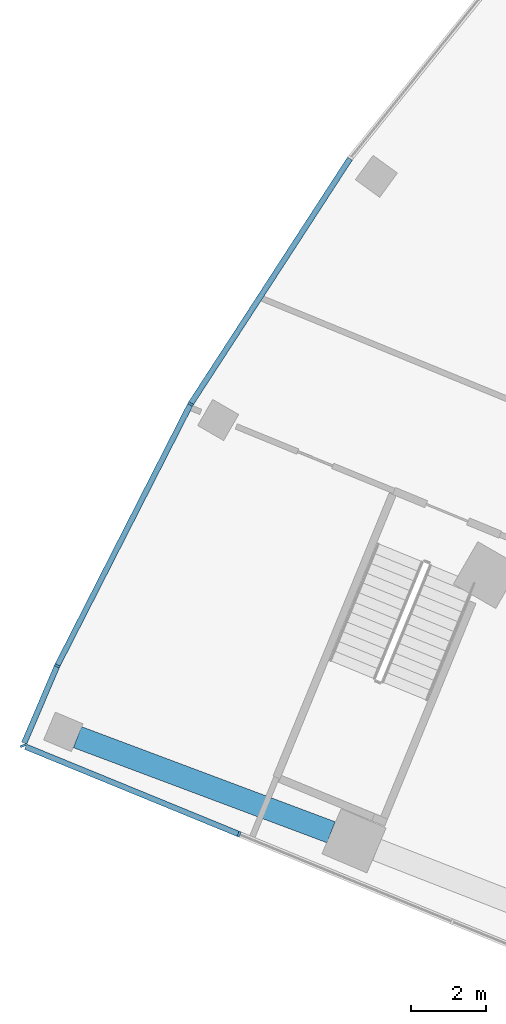
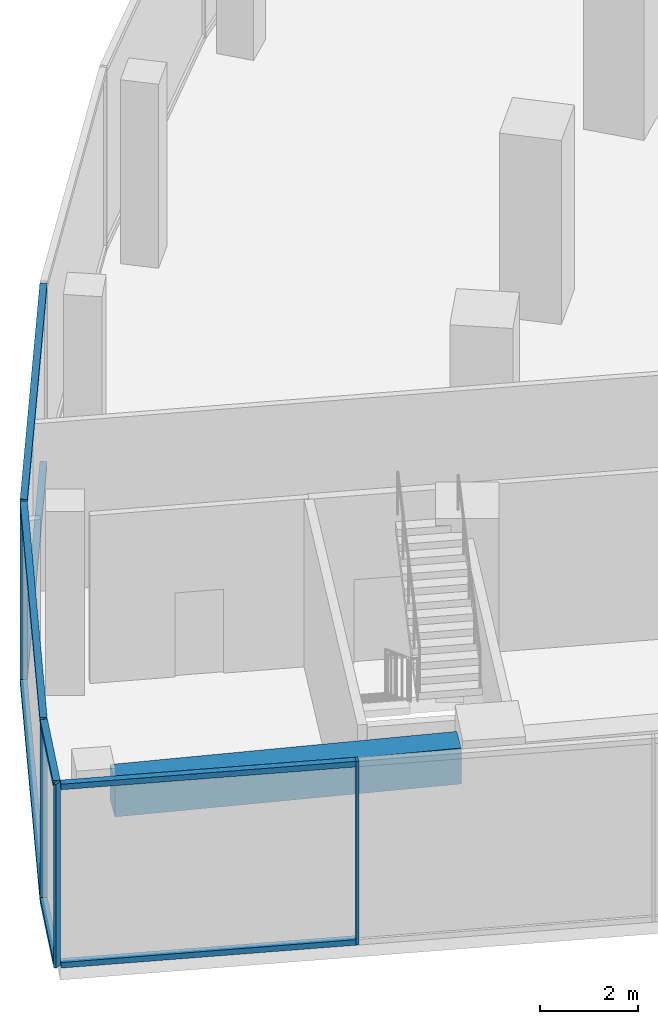
# One storey, part 3 of 39: 12 members, 1 beam, 2 elements without a shape of their own.
"""IFC4 building model written with IfcOpenShell, lengths in metres."""

from ifc_helpers import new_model, si_unit, direction, frame, origin, origin_2d, place, context, subcontext, project, spatial, rectangle, extrude, material, layer, layer_set, material_profile, profile_set, type_object, element, aggregate, save


model = new_model("IFC4")

# Units and contexts
model_context = context("Model", 3, precision=1e-05, world=origin(), true_north=direction((0.0, 1.0)))
body_context = subcontext(model_context, "Body", "Model", "MODEL_VIEW")
ifc_project = project(units=[si_unit("LENGTHUNIT", "METRE"), si_unit("AREAUNIT", "SQUARE_METRE"), si_unit("VOLUMEUNIT", "CUBIC_METRE"), si_unit("PLANEANGLEUNIT", "RADIAN"), si_unit("MASSUNIT", "GRAM", prefix="KILO")], contexts=[model_context])

# Site, building, storey
site_placement = place(None, origin())
site = spatial("IfcSite", under=ifc_project, at=site_placement, CompositionType="ELEMENT")
building_placement = place(site_placement, origin())
building = spatial("IfcBuilding", under=site, at=building_placement, Name="Stone Belt Terrace Tower", CompositionType="ELEMENT")
storey_placement = place(building_placement, frame((0.0, 0.0, 16.199951171875)))
storey = spatial("IfcBuildingStorey", under=building, at=storey_placement, Name="L03", CompositionType="ELEMENT", Elevation=16.199951171875)

# Curtain wall, members
ifc_material_1 = material(Name="Aluminium 6063-T6 anodised frame", Category="aluminium")
ifc_layer = layer(ifc_material_1, 0.14990234375)
ifc_layer_set = layer_set([ifc_layer], Name="CW-D podium shopfront")
curtain_wall_type = type_object("IfcCurtainWallType", Name="CW-D podium shopfront", PredefinedType="NOTDEFINED", material=ifc_layer_set)
curtain_wall_1_placement = place(storey_placement, origin())
curtain_wall_1 = element("IfcCurtainWall", 1, at=curtain_wall_1_placement, inside=storey, type_object=curtain_wall_type, Name="CW-D convex face L03", PredefinedType="NOTDEFINED")
ifc_material_profile_1 = material_profile(ifc_material_1, rectangle(XDim=0.14990234375, YDim=0.06005859375, at=origin_2d()), Name="Aluminium 6063-T6 60x150")
ifc_profile_set_1 = profile_set([ifc_material_profile_1], Name="Aluminium 6063-T6 anodised frame")
member_type_1 = type_object("IfcMemberType", Name="CW-D mullion 60 x 150", PredefinedType="MULLION", material=ifc_profile_set_1)
member_1_placement = place(storey_placement, frame((-64.583984375, 37.28759765625, 0.0), z_axis=(0.0, 0.0, 1.0), x_axis=(0.866025403784, -0.5, 0.0)))
member_1 = element("IfcMember", 2, at=member_1_placement, type_object=member_type_1, Name="CW-D mullion 23", PredefinedType="MULLION", context=body_context, shape_type="SweptSolid", body=[
    extrude(rectangle(XDim=0.14990234375, YDim=0.06005859375, at=origin_2d()), origin(), (0.0, 0.0, 1.0), 4.60009765625),
])
member_2_placement = place(storey_placement, frame((-68.127197265625, 30.333740234375, 0.0), z_axis=(0.0, 0.0, 1.0), x_axis=(0.905778201442, -0.423752108895, 0.0)))
member_2 = element("IfcMember", 3, at=member_2_placement, type_object=member_type_1, Name="CW-D mullion 24", PredefinedType="MULLION", context=body_context, shape_type="SweptSolid", body=[
    extrude(rectangle(XDim=0.14990234375, YDim=0.06005859375, at=origin_2d()), origin(), (0.0, 0.0, 1.0), 4.60009765625),
])

curtain_wall_2_placement = place(storey_placement, origin())
curtain_wall_2 = element("IfcCurtainWall", 4, at=curtain_wall_2_placement, inside=storey, type_object=curtain_wall_type, Name="CW-D end face L03", PredefinedType="NOTDEFINED")
member_3_placement = place(storey_placement, frame((-69.033447265625, 28.213134765625, 0.0), z_axis=(0.0, 0.0, 1.0), x_axis=(0.925309719849, 0.379212239192, 0.0)))
member_3 = element("IfcMember", 5, at=member_3_placement, type_object=member_type_1, Name="CW-D mullion 1", PredefinedType="MULLION", context=body_context, shape_type="SweptSolid", body=[
    extrude(rectangle(XDim=0.14990234375, YDim=0.06005859375, at=origin_2d()), origin(), (0.0, 0.0, 1.0), 4.60009765625),
])
member_4_placement = place(storey_placement, frame((-63.295654296875, 25.861328125, 0.0), z_axis=(0.0, 0.0, 1.0), x_axis=(0.379243093825, 0.925297074342, 0.0)))
member_4 = element("IfcMember", 6, at=member_4_placement, type_object=member_type_1, Name="CW-D mullion 2", PredefinedType="MULLION", context=body_context, shape_type="SweptSolid", body=[
    extrude(rectangle(XDim=0.14990234375, YDim=0.06005859375, at=origin_2d()), origin(), (0.0, 0.0, 1.0), 4.60009765625),
])

# Member
ifc_material_profile_2 = material_profile(ifc_material_1, rectangle(XDim=0.14990234375, YDim=0.139892578125, at=origin_2d()), Name="Aluminium 6063-T6 150x140")
ifc_profile_set_2 = profile_set([ifc_material_profile_2], Name="Aluminium 6063-T6 anodised frame")
member_type_2 = type_object("IfcMemberType", Name="CW-D transom 140 x 150", PredefinedType="USERDEFINED", material=ifc_profile_set_2)
member_5_placement = place(storey_placement, frame((-60.35107421875, 43.8056640625, 0.070068359375), z_axis=(-0.54462677088, -0.83867853224, 0.0), x_axis=(0.83867853224, -0.54462677088, 0.0)))
member_5 = element("IfcMember", 7, at=member_5_placement, type_object=member_type_2, Name="CW-D transom 22.1", ObjectType="TRANSOM", PredefinedType="USERDEFINED", context=body_context, shape_type="SweptSolid", body=[
    extrude(rectangle(XDim=0.14990234375, YDim=0.139892578125, at=origin_2d()), origin(), (0.0, 0.0, 1.0), 7.738037109375),
])

member_6_placement = place(storey_placement, frame((-60.35107421875, 43.8056640625, 4.530029296875), z_axis=(-0.54462677088, -0.83867853224, 0.0), x_axis=(0.83867853224, -0.54462677088, 0.0)))
member_6 = element("IfcMember", 8, at=member_6_placement, type_object=member_type_2, Name="CW-D transom 22.2", ObjectType="TRANSOM", PredefinedType="USERDEFINED", context=body_context, shape_type="SweptSolid", body=[
    extrude(rectangle(XDim=0.14990234375, YDim=0.139892578125, at=origin_2d()), origin(), (0.0, 0.0, 1.0), 7.738037109375),
])

member_7_placement = place(storey_placement, frame((-64.599365234375, 37.25732421875, 0.070068359375), z_axis=(-0.453977770034, -0.891013010183, 0.0), x_axis=(0.891013010183, -0.453977770034, 0.0)))
member_7 = element("IfcMember", 9, at=member_7_placement, type_object=member_type_2, Name="CW-D transom 23.1", ObjectType="TRANSOM", PredefinedType="USERDEFINED", context=body_context, shape_type="SweptSolid", body=[
    extrude(rectangle(XDim=0.14990234375, YDim=0.139892578125, at=origin_2d()), origin(), (0.0, 0.0, 1.0), 7.738037109375),
])

member_8_placement = place(storey_placement, frame((-64.599365234375, 37.25732421875, 4.530029296875), z_axis=(-0.453977770034, -0.891013010183, 0.0), x_axis=(0.891013010183, -0.453977770034, 0.0)))
member_8 = element("IfcMember", 10, at=member_8_placement, type_object=member_type_2, Name="CW-D transom 23.2", ObjectType="TRANSOM", PredefinedType="USERDEFINED", context=body_context, shape_type="SweptSolid", body=[
    extrude(rectangle(XDim=0.14990234375, YDim=0.139892578125, at=origin_2d()), origin(), (0.0, 0.0, 1.0), 7.738037109375),
])

member_9_placement = place(storey_placement, frame((-68.139892578125, 30.3037109375, 0.070068359375), z_axis=(-0.39299460879, -0.919540775312, 0.0), x_axis=(0.919540775312, -0.39299460879, 0.0)))
member_9 = element("IfcMember", 11, at=member_9_placement, type_object=member_type_2, Name="CW-D transom 24.1", ObjectType="TRANSOM", PredefinedType="USERDEFINED", context=body_context, shape_type="SweptSolid", body=[
    extrude(rectangle(XDim=0.14990234375, YDim=0.139892578125, at=origin_2d()), origin(), (0.0, 0.0, 1.0), 2.19921875),
])

member_10_placement = place(storey_placement, frame((-68.139892578125, 30.3037109375, 4.530029296875), z_axis=(-0.39299460879, -0.919540775312, 0.0), x_axis=(0.919540775312, -0.39299460879, 0.0)))
member_10 = element("IfcMember", 12, at=member_10_placement, type_object=member_type_2, Name="CW-D transom 24.2", ObjectType="TRANSOM", PredefinedType="USERDEFINED", context=body_context, shape_type="SweptSolid", body=[
    extrude(rectangle(XDim=0.14990234375, YDim=0.139892578125, at=origin_2d()), origin(), (0.0, 0.0, 1.0), 2.19921875),
])

aggregate(curtain_wall_1, [member_1, member_2, member_5, member_6, member_7, member_8, member_9, member_10])

member_11_placement = place(storey_placement, frame((-68.964599609375, 28.184814453125, 0.070068359375), z_axis=(0.925300531379, -0.379234659056, 0.0), x_axis=(0.379234659056, 0.925300531379, 0.0)))
member_11 = element("IfcMember", 13, at=member_11_placement, type_object=member_type_2, Name="CW-D transom 1.1", ObjectType="TRANSOM", PredefinedType="USERDEFINED", context=body_context, shape_type="SweptSolid", body=[
    extrude(rectangle(XDim=0.14990234375, YDim=0.139892578125, at=origin_2d()), origin(), (0.0, 0.0, 1.0), 6.096435546875),
])

member_12_placement = place(storey_placement, frame((-68.964599609375, 28.184814453125, 4.530029296875), z_axis=(0.925300531379, -0.379234659056, 0.0), x_axis=(0.379234659056, 0.925300531379, 0.0)))
member_12 = element("IfcMember", 14, at=member_12_placement, type_object=member_type_2, Name="CW-D transom 1.2", ObjectType="TRANSOM", PredefinedType="USERDEFINED", context=body_context, shape_type="SweptSolid", body=[
    extrude(rectangle(XDim=0.14990234375, YDim=0.139892578125, at=origin_2d()), origin(), (0.0, 0.0, 1.0), 6.096435546875),
])

aggregate(curtain_wall_2, [member_3, member_4, member_11, member_12])

# Beam
ifc_material_2 = material(Name="Concrete B60", Category="concrete")
ifc_material_profile_3 = material_profile(ifc_material_2, rectangle(XDim=0.60009765625, YDim=0.89990234375, at=origin_2d()), Name="RC 600x900")
ifc_profile_set_3 = profile_set([ifc_material_profile_3], Name="Concrete B60")
beam_type = type_object("IfcBeamType", Name="Edge beam RC 600x900 B60", PredefinedType="SPANDREL", material=ifc_profile_set_3)
beam_placement = place(storey_placement, frame((-60.85107421875, 25.913330078125, 3.75), z_axis=(-0.936357063025, 0.351049071389, 0.0), x_axis=(-0.351049071389, -0.936357063025, 0.0)))
element("IfcBeam", 15, at=beam_placement, inside=storey, type_object=beam_type, Name="Edge beam L03 A R to S", PredefinedType="SPANDREL", context=body_context, shape_type="SweptSolid", body=[
    extrude(rectangle(XDim=0.60009765625, YDim=0.89990234375, at=origin_2d()), origin(), (0.0, 0.0, 1.0), 7.1953125),
])

save(model, "model.ifc")
